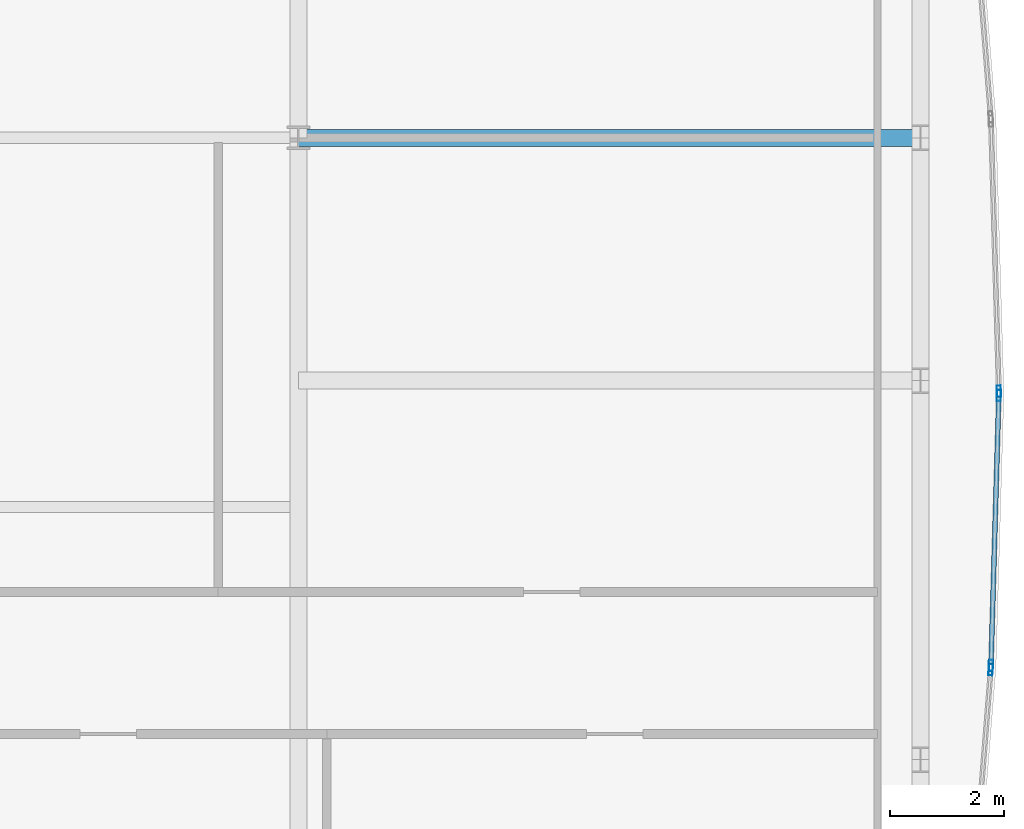
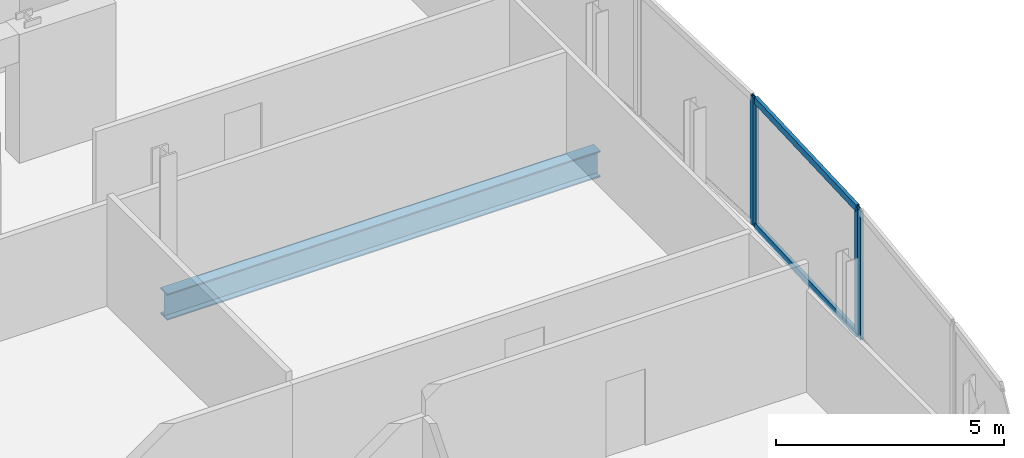
# One storey, part 20 of 32: 6 members, 1 beam, 3 elements without a shape of their own.
"""IFC4 building model written with IfcOpenShell, lengths in metres."""

from ifc_helpers import new_model, si_unit, direction, frame, origin, origin_2d, place, context, subcontext, project, spatial, hollow_rectangle, i_section, extrude, material, material_profile, profile_set, type_object, element, aggregate, save


model = new_model("IFC4")

# Units and contexts
model_context = context("Model", 3, precision=1e-05, world=origin(), true_north=direction((0.0, 1.0)))
body_context = subcontext(model_context, "Body", "Model", "MODEL_VIEW")
ifc_project = project(units=[si_unit("LENGTHUNIT", "METRE"), si_unit("AREAUNIT", "SQUARE_METRE"), si_unit("VOLUMEUNIT", "CUBIC_METRE"), si_unit("PLANEANGLEUNIT", "RADIAN"), si_unit("MASSUNIT", "GRAM", prefix="KILO")], contexts=[model_context])

# Site, building, storey
site_placement = place(None, origin())
site = spatial("IfcSite", under=ifc_project, at=site_placement, CompositionType="ELEMENT")
building_placement = place(site_placement, origin())
building = spatial("IfcBuilding", under=site, at=building_placement, Name="Khoronbel Lancet Exchange", CompositionType="ELEMENT")
storey_placement = place(building_placement, frame((0.0, 0.0, 192.199951171875)))
storey = spatial("IfcBuildingStorey", under=building, at=storey_placement, Name="L48", CompositionType="ELEMENT", Elevation=192.199951171875)

# Beam
ifc_material_1 = material(Name="Steel S355", Category="steel")
ifc_material_profile_1 = material_profile(ifc_material_1, i_section(OverallWidth=0.300048828125, OverallDepth=0.699951171875, WebThickness=0.01708984375, FlangeThickness=0.031982421875, at=origin_2d()), Name="HEB 700")
ifc_profile_set_1 = profile_set([ifc_material_profile_1], Name="Steel S355")
beam_type = type_object("IfcBeamType", Name="BM-BG3", PredefinedType="BEAM", material=ifc_profile_set_1)
beam_placement = place(storey_placement, frame((54.675048828125, 35.699951171875, -0.510009765625), z_axis=(1.0, 0.0, 0.0), x_axis=(0.0, 1.0, 0.0)))
element("IfcBeam", 1, at=beam_placement, inside=storey, type_object=beam_type, Name="Level L48 east lens tie girder LG4E", PredefinedType="BEAM", context=body_context, shape_type="SweptSolid", body=[
    extrude(i_section(OverallWidth=0.300048828125, OverallDepth=0.699951171875, WebThickness=0.01708984375, FlangeThickness=0.031982421875, at=origin_2d()), origin(), (0.0, 0.0, 1.0), 10.954833984375),
])

# Curtain wall, member
ifc_material_2 = material(Name="Low-E Solar Control Insulating Glass", Category="glass")
curtain_wall_type = type_object("IfcCurtainWallType", Name="CW-4", PredefinedType="NOTDEFINED", material=ifc_material_2)
curtain_wall_1_placement = place(storey_placement, origin())
curtain_wall_1 = element("IfcCurtainWall", 2, at=curtain_wall_1_placement, inside=storey, type_object=curtain_wall_type, Name="Unitised curtain wall CW-L48-E19", PredefinedType="NOTDEFINED")
ifc_material_3 = material(Name="Bronze-Anodised Aluminium 6063-T6", Category="aluminium")
ifc_material_profile_2 = material_profile(ifc_material_3, hollow_rectangle(XDim=0.074951171875, YDim=0.199951171875, WallThickness=0.0048828125, at=origin_2d()), Name="ALU MULLION 75x200")
ifc_profile_set_2 = profile_set([ifc_material_profile_2], Name="Bronze-Anodised Aluminium 6063-T6")
member_type_1 = type_object("IfcMemberType", Name="MEM-CWM2", PredefinedType="MULLION", material=ifc_profile_set_2)
member_1_placement = place(storey_placement, frame((67.0087890625, 31.237548828125, 0.0), z_axis=(0.0, 0.0, 1.0), x_axis=(0.999576300376, 0.029107039142, 0.0)))
member_1 = element("IfcMember", 3, at=member_1_placement, type_object=member_type_1, Name="CW4 mullion 2", PredefinedType="MULLION", context=body_context, shape_type="SweptSolid", body=[
    extrude(hollow_rectangle(XDim=0.074951171875, YDim=0.199951171875, WallThickness=0.0048828125, at=origin_2d()), origin(), (0.0, 0.0, 1.0), 3.43994140625),
])
aggregate(curtain_wall_1, [member_1])

# Curtain wall, members
curtain_wall_2_placement = place(storey_placement, origin())
curtain_wall_2 = element("IfcCurtainWall", 4, at=curtain_wall_2_placement, inside=storey, type_object=curtain_wall_type, Name="Unitised curtain wall CW-L48-E20", PredefinedType="NOTDEFINED")
member_2_placement = place(storey_placement, frame((67.0087890625, 31.16259765625, 0.0), z_axis=(0.0, 0.0, 1.0), x_axis=(0.999576300376, -0.029107039142, 0.0)))
member_2 = element("IfcMember", 5, at=member_2_placement, type_object=member_type_1, Name="CW4 mullion 1", PredefinedType="MULLION", context=body_context, shape_type="SweptSolid", body=[
    extrude(hollow_rectangle(XDim=0.074951171875, YDim=0.199951171875, WallThickness=0.0048828125, at=origin_2d()), origin(), (0.0, 0.0, 1.0), 3.43994140625),
])
member_3_placement = place(storey_placement, frame((66.87060546875, 26.4091796875, 0.0), z_axis=(0.0, 0.0, 1.0), x_axis=(0.999576300376, -0.029107039142, 0.0)))
member_3 = element("IfcMember", 6, at=member_3_placement, type_object=member_type_1, Name="CW4 mullion 2", PredefinedType="MULLION", context=body_context, shape_type="SweptSolid", body=[
    extrude(hollow_rectangle(XDim=0.074951171875, YDim=0.199951171875, WallThickness=0.0048828125, at=origin_2d()), origin(), (0.0, 0.0, 1.0), 3.43994140625),
])

# Curtain wall, member
curtain_wall_3_placement = place(storey_placement, origin())
curtain_wall_3 = element("IfcCurtainWall", 7, at=curtain_wall_3_placement, inside=storey, type_object=curtain_wall_type, Name="Unitised curtain wall CW-L48-E21", PredefinedType="NOTDEFINED")
member_4_placement = place(storey_placement, frame((66.866455078125, 26.334228515625, 0.0), z_axis=(0.0, 0.0, 1.0), x_axis=(0.996854401909, -0.079254661653, 0.0)))
member_4 = element("IfcMember", 8, at=member_4_placement, type_object=member_type_1, Name="CW4 mullion 1", PredefinedType="MULLION", context=body_context, shape_type="SweptSolid", body=[
    extrude(hollow_rectangle(XDim=0.074951171875, YDim=0.199951171875, WallThickness=0.0048828125, at=origin_2d()), origin(), (0.0, 0.0, 1.0), 3.43994140625),
])
aggregate(curtain_wall_3, [member_4])

# Member
ifc_material_profile_3 = material_profile(ifc_material_3, hollow_rectangle(XDim=0.0849609375, YDim=0.179931640625, WallThickness=0.0048828125, at=origin_2d()), Name="ALU TRANSOM 85x180")
ifc_profile_set_3 = profile_set([ifc_material_profile_3], Name="Bronze-Anodised Aluminium 6063-T6")
member_type_2 = type_object("IfcMemberType", Name="MEM-CWT1", PredefinedType="USERDEFINED", material=ifc_profile_set_3)
member_5_placement = place(storey_placement, frame((67.0078125, 31.125, 0.04248046875), z_axis=(-0.029106277096, -0.999576322566, 0.0), x_axis=(0.999576322566, -0.029106277096, 0.0)))
member_5 = element("IfcMember", 9, at=member_5_placement, type_object=member_type_2, Name="CW4 transom 1.1", ObjectType="TRANSOM", PredefinedType="USERDEFINED", context=body_context, shape_type="SweptSolid", body=[
    extrude(hollow_rectangle(XDim=0.0849609375, YDim=0.179931640625, WallThickness=0.0048828125, at=origin_2d()), origin(), (0.0, 0.0, 1.0), 4.680419921875),
])

member_6_placement = place(storey_placement, frame((67.0078125, 31.125, 3.3974609375), z_axis=(-0.029106277096, -0.999576322566, 0.0), x_axis=(0.999576322566, -0.029106277096, 0.0)))
member_6 = element("IfcMember", 10, at=member_6_placement, type_object=member_type_2, Name="CW4 transom 1.2", ObjectType="TRANSOM", PredefinedType="USERDEFINED", context=body_context, shape_type="SweptSolid", body=[
    extrude(hollow_rectangle(XDim=0.0849609375, YDim=0.179931640625, WallThickness=0.0048828125, at=origin_2d()), origin(), (0.0, 0.0, 1.0), 4.680419921875),
])

aggregate(curtain_wall_2, [member_2, member_3, member_5, member_6])

save(model, "model.ifc")
